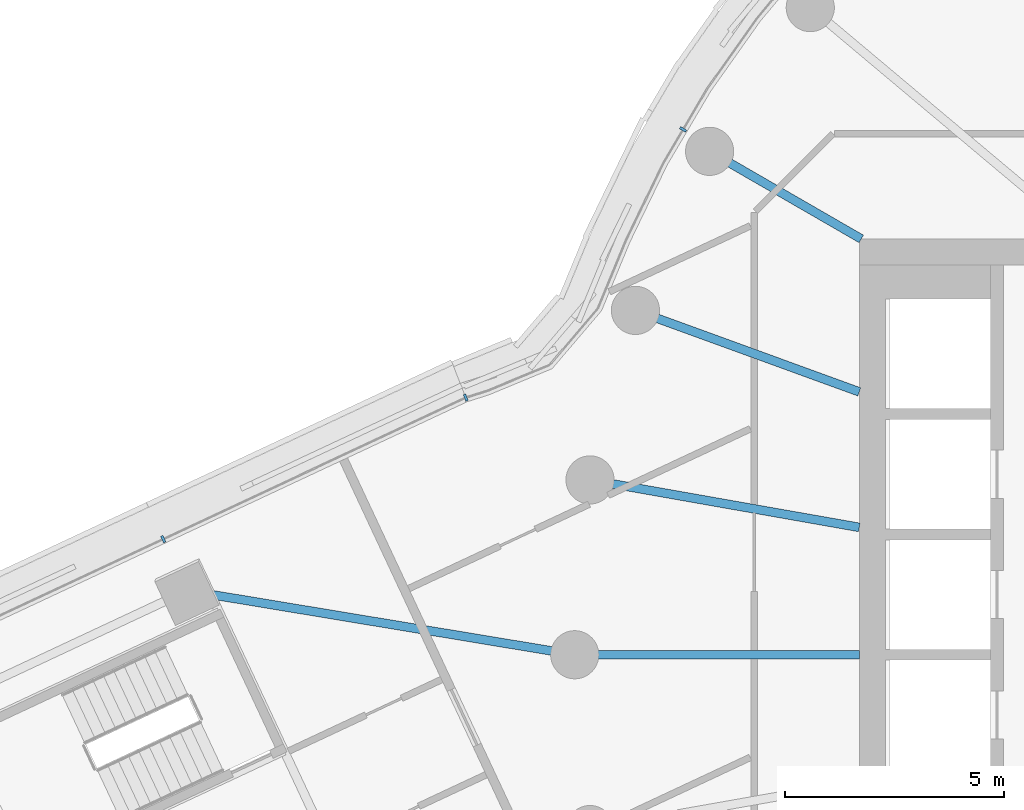
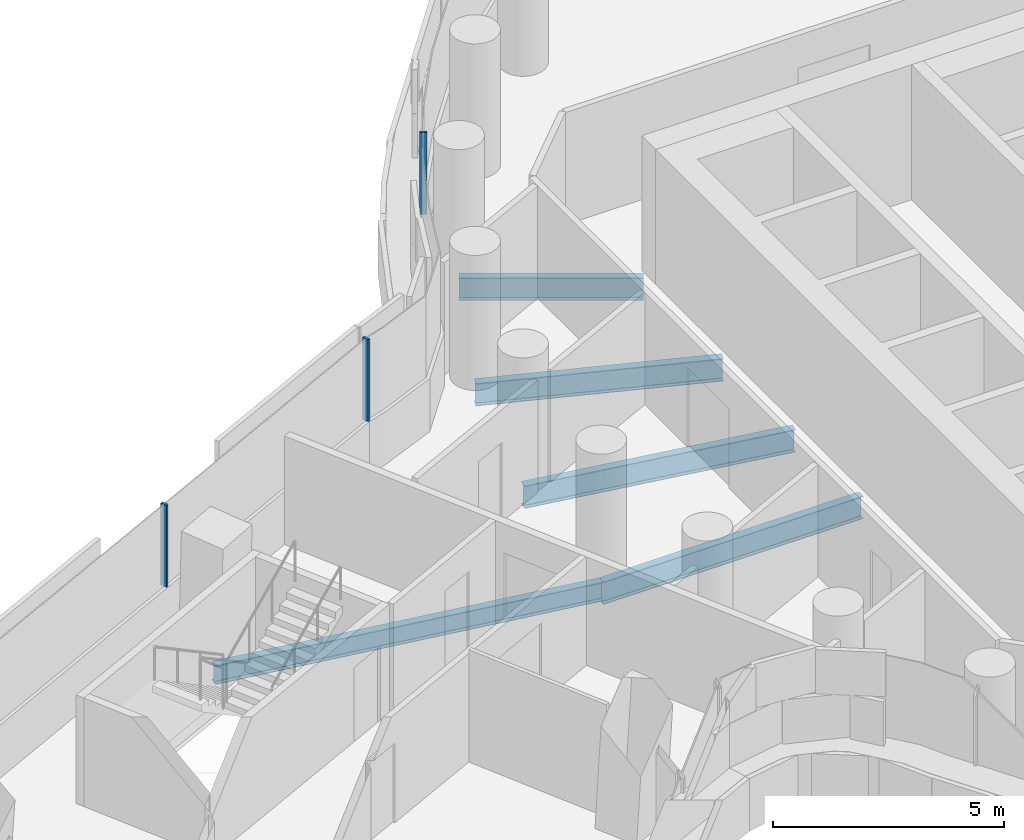
# One storey, part 8 of 36: 5 beams, 3 members, 2 elements without a shape of their own.
"""IFC4 building model written with IfcOpenShell, lengths in metres."""

from ifc_helpers import new_model, si_unit, direction, frame, origin, origin_2d, place, context, subcontext, project, spatial, rectangle, i_section, extrude, material, layer, layer_set, material_profile, profile_set, type_object, element, aggregate, save


model = new_model("IFC4")

# Units and contexts
model_context = context("Model", 3, precision=1e-05, world=origin(), true_north=direction((0.0, 1.0)))
body_context = subcontext(model_context, "Body", "Model", "MODEL_VIEW")
ifc_project = project(units=[si_unit("LENGTHUNIT", "METRE"), si_unit("AREAUNIT", "SQUARE_METRE"), si_unit("VOLUMEUNIT", "CUBIC_METRE"), si_unit("PLANEANGLEUNIT", "RADIAN"), si_unit("MASSUNIT", "GRAM", prefix="KILO")], contexts=[model_context])

# Site, building, storey
site_placement = place(None, origin())
site = spatial("IfcSite", under=ifc_project, at=site_placement, CompositionType="ELEMENT")
building_placement = place(site_placement, origin())
building = spatial("IfcBuilding", under=site, at=building_placement, Name="Tamarind Cross Interchange Tower", CompositionType="ELEMENT")
storey_placement = place(building_placement, frame((0.0, 0.0, 124.75)))
storey = spatial("IfcBuildingStorey", under=building, at=storey_placement, Name="L30", CompositionType="ELEMENT", Elevation=124.75)

# Beams
ifc_material_1 = material(Name="Steel Q355B", Category="steel")
ifc_material_profile_1 = material_profile(ifc_material_1, i_section(OverallWidth=0.198974609375, OverallDepth=0.49609375, WebThickness=0.009033203125, FlangeThickness=0.013916015625, FilletRadius=0.012939453125, at=origin_2d()), Name="HN 496x199x9x14")
ifc_profile_set_1 = profile_set([ifc_material_profile_1], Name="Steel Q355B")
beam_type_1 = type_object("IfcBeamType", Name="Composite beam HN 496x199x9x14 Q355B", PredefinedType="BEAM", material=ifc_profile_set_1)
beam_1_placement = place(storey_placement, frame((-31.8486328125, 1.464111328125, -0.387939453125), z_axis=(0.986585997627, -0.16324236364, 0.0), x_axis=(0.16324236364, 0.986585997627, 0.0)))
element("IfcBeam", 1, at=beam_1_placement, inside=storey, type_object=beam_type_1, Name="Beam W-linkem", PredefinedType="BEAM", context=body_context, shape_type="SweptSolid", body=[
    extrude(i_section(OverallWidth=0.198974609375, OverallDepth=0.49609375, WebThickness=0.009033203125, FlangeThickness=0.013916015625, FilletRadius=0.012939453125, at=origin_2d()), origin(), (0.0, 0.0, 1.0), 8.968994140625),
])
ifc_material_profile_2 = material_profile(ifc_material_1, i_section(OverallWidth=0.198974609375, OverallDepth=0.595947265625, WebThickness=0.010009765625, FlangeThickness=0.014892578125, FilletRadius=0.012939453125, at=origin_2d()), Name="HN 596x199x10x15")
ifc_profile_set_2 = profile_set([ifc_material_profile_2], Name="Steel Q355B")
beam_type_2 = type_object("IfcBeamType", Name="Composite beam HN 596x199x10x15 Q355B", PredefinedType="BEAM", material=ifc_profile_set_2)
beam_2_placement = place(storey_placement, frame((-19.918701171875, 11.5, -0.43798828125), z_axis=(0.866026010844, -0.49999894854, 0.0), x_axis=(0.49999894854, 0.866026010844, 0.0)))
element("IfcBeam", 2, at=beam_2_placement, inside=storey, type_object=beam_type_2, Name="Beam HH15", PredefinedType="BEAM", context=body_context, shape_type="SweptSolid", body=[
    extrude(i_section(OverallWidth=0.198974609375, OverallDepth=0.595947265625, WebThickness=0.010009765625, FlangeThickness=0.014892578125, FilletRadius=0.012939453125, at=origin_2d()), origin(), (0.0, 0.0, 1.0), 4.0),
])
beam_3_placement = place(storey_placement, frame((-21.613037109375, 7.866455078125, -0.43798828125), z_axis=(0.939701685589, -0.341995236956, 0.0), x_axis=(0.341995236956, 0.939701685589, 0.0)))
element("IfcBeam", 3, at=beam_3_placement, inside=storey, type_object=beam_type_2, Name="Beam HH16", PredefinedType="BEAM", context=body_context, shape_type="SweptSolid", body=[
    extrude(i_section(OverallWidth=0.198974609375, OverallDepth=0.595947265625, WebThickness=0.010009765625, FlangeThickness=0.014892578125, FilletRadius=0.012939453125, at=origin_2d()), origin(), (0.0, 0.0, 1.0), 5.441162109375),
])
beam_4_placement = place(storey_placement, frame((-22.650634765625, 3.993896484375, -0.43798828125), z_axis=(0.984809127561, -0.173640382036, 0.0), x_axis=(0.173640382036, 0.984809127561, 0.0)))
element("IfcBeam", 4, at=beam_4_placement, inside=storey, type_object=beam_type_2, Name="Beam HH17", PredefinedType="BEAM", context=body_context, shape_type="SweptSolid", body=[
    extrude(i_section(OverallWidth=0.198974609375, OverallDepth=0.595947265625, WebThickness=0.010009765625, FlangeThickness=0.014892578125, FilletRadius=0.012939453125, at=origin_2d()), origin(), (0.0, 0.0, 1.0), 6.24560546875),
])
beam_5_placement = place(storey_placement, frame((-23.0, 0.0, -0.43798828125), z_axis=(1.0, 0.0, 0.0), x_axis=(0.0, 1.0, 0.0)))
element("IfcBeam", 5, at=beam_5_placement, inside=storey, type_object=beam_type_2, Name="Beam HH18", PredefinedType="BEAM", context=body_context, shape_type="SweptSolid", body=[
    extrude(i_section(OverallWidth=0.198974609375, OverallDepth=0.595947265625, WebThickness=0.010009765625, FlangeThickness=0.014892578125, FilletRadius=0.012939453125, at=origin_2d()), origin(), (0.0, 0.0, 1.0), 6.5),
])

# Curtain wall, member
ifc_material_2 = material(Name="Aluminium 6063-T6", Category="aluminium")
ifc_layer = layer(ifc_material_2, 0.159912109375)
ifc_layer_set = layer_set([ifc_layer], Name="Aluminium 6063-T6")
curtain_wall_type = type_object("IfcCurtainWallType", Name="Office curtain wall, 9.0 m bays", PredefinedType="NOTDEFINED", material=ifc_layer_set)
curtain_wall_1_placement = place(storey_placement, origin())
curtain_wall_1 = element("IfcCurtainWall", 6, at=curtain_wall_1_placement, inside=storey, type_object=curtain_wall_type, Name="CWS-L30-14", PredefinedType="NOTDEFINED")
ifc_material_profile_3 = material_profile(ifc_material_2, rectangle(XDim=0.06005859375, YDim=0.159912109375, at=origin_2d()), Name="Mullion CW1")
ifc_profile_set_3 = profile_set([ifc_material_profile_3], Name="Aluminium 6063-T6")
member_type = type_object("IfcMemberType", Name="Mullion CW1", PredefinedType="MULLION", material=ifc_profile_set_3)
member_1_placement = place(storey_placement, frame((-20.524658203125, 12.0009765625, 1.39990234375), z_axis=(0.0, 0.0, 1.0), x_axis=(-0.508183308752, -0.861248933065, 0.0)))
member_1 = element("IfcMember", 7, at=member_1_placement, type_object=member_type, Name="CWM-L30-14-02", PredefinedType="MULLION", context=body_context, shape_type="SweptSolid", body=[
    extrude(rectangle(XDim=0.06005859375, YDim=0.159912109375, at=origin_2d()), origin(), (0.0, 0.0, 1.0), 2.170166015625),
])
aggregate(curtain_wall_1, [member_1])

# Curtain wall, members
curtain_wall_2_placement = place(storey_placement, origin())
curtain_wall_2 = element("IfcCurtainWall", 8, at=curtain_wall_2_placement, inside=storey, type_object=curtain_wall_type, Name="CWS-L30-15", PredefinedType="NOTDEFINED")
member_2_placement = place(storey_placement, frame((-25.489990234375, 5.87451171875, 1.39990234375), z_axis=(0.0, 0.0, 1.0), x_axis=(-0.93153137124, -0.36366097453, 0.0)))
member_2 = element("IfcMember", 9, at=member_2_placement, type_object=member_type, Name="CWM-L30-15-00", PredefinedType="MULLION", context=body_context, shape_type="SweptSolid", body=[
    extrude(rectangle(XDim=0.06005859375, YDim=0.159912109375, at=origin_2d()), origin(), (0.0, 0.0, 1.0), 2.170166015625),
])
member_3_placement = place(storey_placement, frame((-32.400390625, 2.64111328125, 1.39990234375), z_axis=(0.0, 0.0, 1.0), x_axis=(-0.905752325355, -0.423807415123, 0.0)))
member_3 = element("IfcMember", 10, at=member_3_placement, type_object=member_type, Name="CWM-L30-15-01", PredefinedType="MULLION", context=body_context, shape_type="SweptSolid", body=[
    extrude(rectangle(XDim=0.06005859375, YDim=0.159912109375, at=origin_2d()), origin(), (0.0, 0.0, 1.0), 2.170166015625),
])
aggregate(curtain_wall_2, [member_2, member_3])

save(model, "model.ifc")
